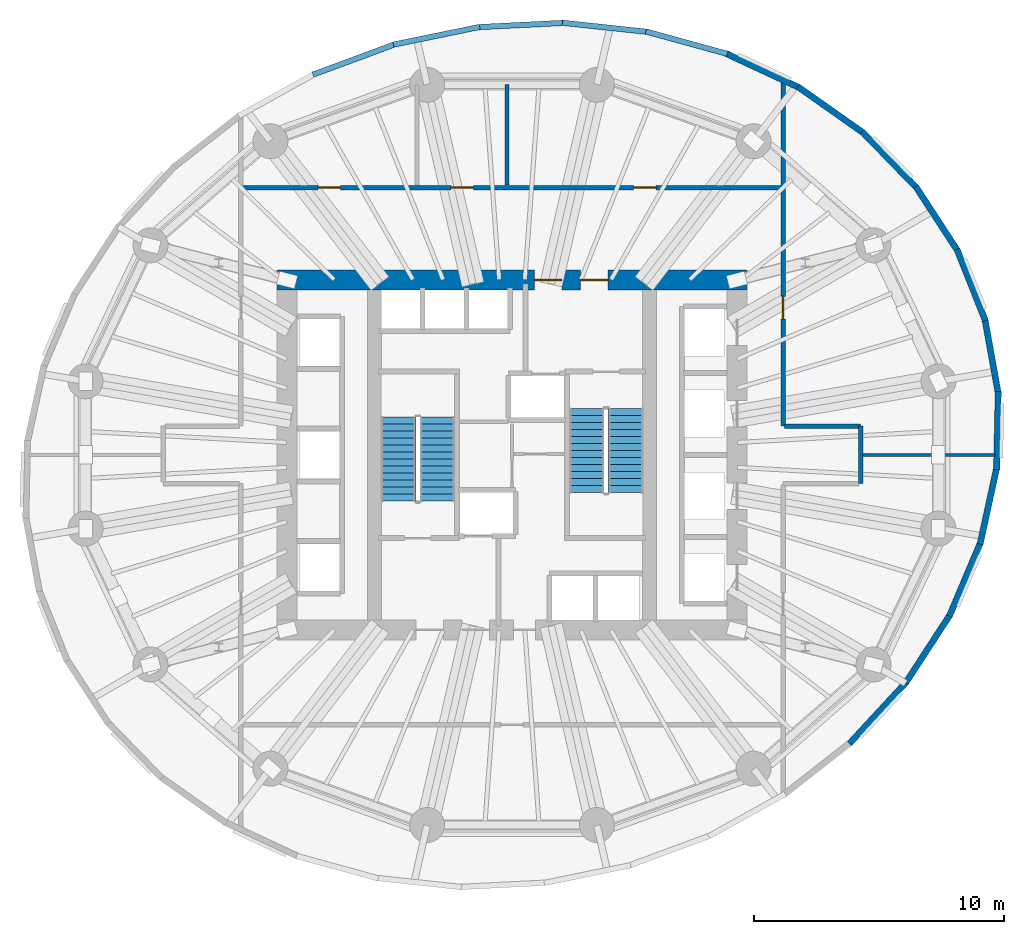
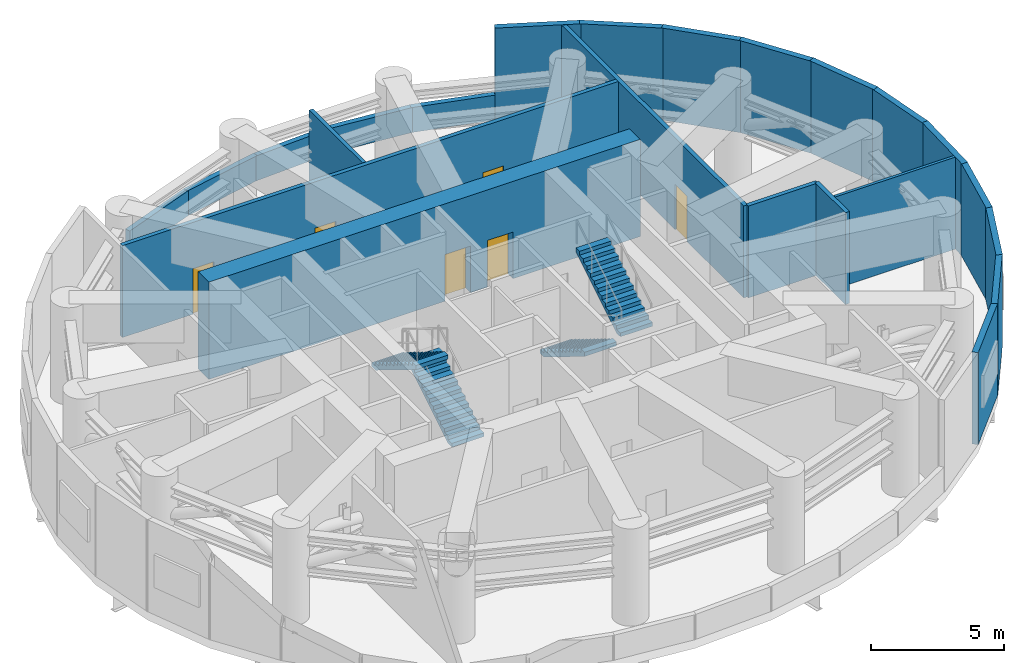
# One storey, part 6 of 8: 23 walls, 6 doors, 4 stair flights, 6 openings, 2 elements without a shape of their own.
"""IFC4 building model written with IfcOpenShell, lengths in metres."""

from ifc_helpers import new_model, si_unit, direction, frame, frame_2d, origin, place, context, subcontext, project, spatial, polyline, rectangle, outline, extrude, material, layer, layer_set, type_object, element, fill, aggregate, save


model = new_model("IFC4")

# Units and contexts
model_context = context("Model", 3, precision=1e-05, world=origin(), true_north=direction((0.0, 1.0)))
body_context = subcontext(model_context, "Body", "Model", "MODEL_VIEW")
ifc_project = project(units=[si_unit("LENGTHUNIT", "METRE"), si_unit("AREAUNIT", "SQUARE_METRE"), si_unit("VOLUMEUNIT", "CUBIC_METRE"), si_unit("PLANEANGLEUNIT", "RADIAN"), si_unit("MASSUNIT", "GRAM", prefix="KILO")], contexts=[model_context])

# Site, building, storey
site_placement = place(None, origin())
site = spatial("IfcSite", under=ifc_project, at=site_placement, CompositionType="ELEMENT")
building_placement = place(site_placement, origin())
building = spatial("IfcBuilding", under=site, at=building_placement, Name="Veldorim Arch Residences", CompositionType="ELEMENT")
storey_placement = place(building_placement, frame((0.0, 0.0, 66.39990234375)))
storey = spatial("IfcBuildingStorey", under=building, at=storey_placement, Name="L19", CompositionType="ELEMENT", Elevation=66.39990234375)

# Wall
ifc_material_1 = material(Name="Acoustic Gypsum Board", Category="gypsum")
ifc_layer_1 = layer(ifc_material_1, 0.125, Name="Acoustic Stud Room Partition Wall 125")
ifc_layer_set_1 = layer_set([ifc_layer_1], Name="Acoustic Gypsum Board")
wall_type_1 = type_object("IfcWallType", Name="Acoustic Stud Room Partition Wall 125", PredefinedType="PARTITIONING", material=ifc_layer_set_1)
wall_1_placement = place(storey_placement, frame((46.050048828125, 24.0, 0.0), z_axis=(0.0, 0.0, 1.0), x_axis=(1.0, 0.0, 0.0)))
element("IfcWall", 1, at=wall_1_placement, inside=storey, type_object=wall_type_1, Name="L19 interior wall WL-PLT-L19-016", PredefinedType="PARTITIONING", context=body_context, shape_type="SweptSolid", body=[
    extrude(rectangle(XDim=5.287353515625, YDim=0.125, at=frame_2d((2.6435546875, 0.0))), origin(), (0.0, 0.0, 1.0), 4.235107421875),
])

# Wall, openings, doors
ifc_material_2 = material(Name="Lightweight Masonry Block & Gypsum", Category="masonry")
ifc_layer_2 = layer(ifc_material_2, 0.179931640625, Name="Compartment & Corridor Fire-Rated Party Wall 180")
ifc_layer_set_2 = layer_set([ifc_layer_2], Name="Lightweight Masonry Block & Gypsum")
wall_type_2 = type_object("IfcWallType", Name="Compartment & Corridor Fire-Rated Party Wall 180", PredefinedType="PARTITIONING", material=ifc_layer_set_2)
wall_2_placement = place(storey_placement, frame((21.14990234375, 34.699951171875, 0.0), z_axis=(0.0, 0.0, 1.0), x_axis=(1.0, 0.0, 0.0)))
wall_2 = element("IfcWall", 2, at=wall_2_placement, inside=storey, type_object=wall_type_2, Name="L19 interior wall WL-PLT-L19-002", PredefinedType="PARTITIONING", context=body_context, shape_type="SweptSolid", body=[
    extrude(rectangle(XDim=21.7001953125, YDim=0.179931640625, at=frame_2d((10.85009765625, 0.0))), origin(), (0.0, 0.0, 1.0), 4.235107421875),
])
opening_1_placement = place(wall_2_placement, frame((15.715087890625, 0.0, 0.0)))
opening_1 = element("IfcOpeningElement", 3, at=opening_1_placement, cuts=wall_2, Name="Opening DR-INT", PredefinedType="OPENING", context=body_context, shape_type="SweptSolid", body=[
    extrude(rectangle(XDim=0.89990234375, YDim=2.10009765625, at=frame_2d((0.449951171875, 1.050048828125))), frame((0.0, 0.099853515625, 0.0), z_axis=(0.0, -1.0, 0.0), x_axis=(1.0, 0.0, 0.0)), (0.0, 0.0, 1.0), 0.199951171875),
])
opening_2_placement = place(wall_2_placement, frame((8.39990234375, 0.0, 0.0)))
opening_2 = element("IfcOpeningElement", 4, at=opening_2_placement, cuts=wall_2, Name="Opening DR-WC", PredefinedType="OPENING", context=body_context, shape_type="SweptSolid", body=[
    extrude(rectangle(XDim=0.89990234375, YDim=2.10009765625, at=frame_2d((0.449951171875, 1.050048828125))), frame((0.0, 0.099853515625, 0.0), z_axis=(0.0, -1.0, 0.0), x_axis=(1.0, 0.0, 0.0)), (0.0, 0.0, 1.0), 0.199951171875),
])
opening_3_placement = place(wall_2_placement, frame((3.0849609375, 0.0, 0.0)))
opening_3 = element("IfcOpeningElement", 5, at=opening_3_placement, cuts=wall_2, Name="Opening DR-SVC", PredefinedType="OPENING", context=body_context, shape_type="SweptSolid", body=[
    extrude(rectangle(XDim=0.89990234375, YDim=2.10009765625, at=frame_2d((0.449951171875, 1.050048828125))), frame((0.0, 0.099853515625, 0.0), z_axis=(0.0, -1.0, 0.0), x_axis=(1.0, 0.0, 0.0)), (0.0, 0.0, 1.0), 0.199951171875),
])
ifc_material_3 = material(Name="Engineered Timber", Category="wood")
door_type_1 = type_object("IfcDoorType", Name="Apartment Internal Room Timber Door 900x2100", OperationType="SINGLE_SWING_LEFT", PredefinedType="DOOR", material=ifc_material_3)
door_1_placement = place(opening_1_placement, origin())
door_1 = element("IfcDoor", 6, at=door_1_placement, inside=storey, type_object=door_type_1, Name="L19 interior door DR-PLT-L19-002", OperationType="SINGLE_SWING_RIGHT", OverallHeight=2.10009765625, OverallWidth=0.89990234375, PredefinedType="DOOR", context=body_context, shape_type="SweptSolid", body=[
    extrude(rectangle(XDim=0.89990234375, YDim=2.10009765625, at=frame_2d((0.449951171875, 1.050048828125))), frame((0.0, 0.02490234375, 0.0), z_axis=(0.0, -1.0, 0.0), x_axis=(1.0, 0.0, 0.0)), (0.0, 0.0, 1.0), 0.050048828125),
])
fill(opening_1, door_1)
ifc_material_4 = material(Name="Laminate Timber", Category="wood")
door_type_2 = type_object("IfcDoorType", Name="Bathroom & Accessible WC Moisture-Sealed Door 900x2100", OperationType="SINGLE_SWING_LEFT", PredefinedType="DOOR", material=ifc_material_4)
door_2_placement = place(opening_2_placement, origin())
door_2 = element("IfcDoor", 7, at=door_2_placement, inside=storey, type_object=door_type_2, Name="L19 interior door DR-PLT-L19-003", OperationType="SINGLE_SWING_LEFT", OverallHeight=2.10009765625, OverallWidth=0.89990234375, PredefinedType="DOOR", context=body_context, shape_type="SweptSolid", body=[
    extrude(rectangle(XDim=0.89990234375, YDim=2.10009765625, at=frame_2d((0.449951171875, 1.050048828125))), frame((0.0, 0.02490234375, 0.0), z_axis=(0.0, -1.0, 0.0), x_axis=(1.0, 0.0, 0.0)), (0.0, 0.0, 1.0), 0.050048828125),
])
fill(opening_2, door_2)
ifc_material_5 = material(Name="Fire-Rated Steel", Category="steel")
door_type_3 = type_object("IfcDoorType", Name="Riser, Shelter & Plant Room Rated Steel Door 900x2100", OperationType="SINGLE_SWING_LEFT", PredefinedType="DOOR", material=ifc_material_5)
door_3_placement = place(opening_3_placement, origin())
door_3 = element("IfcDoor", 8, at=door_3_placement, inside=storey, type_object=door_type_3, Name="L19 interior door DR-PLT-L19-004", OperationType="SINGLE_SWING_RIGHT", OverallHeight=2.10009765625, OverallWidth=0.89990234375, PredefinedType="DOOR", context=body_context, shape_type="SweptSolid", body=[
    extrude(rectangle(XDim=0.89990234375, YDim=2.10009765625, at=frame_2d((0.449951171875, 1.050048828125))), frame((0.0, 0.02490234375, 0.0), z_axis=(0.0, -1.0, 0.0), x_axis=(1.0, 0.0, 0.0)), (0.0, 0.0, 1.0), 0.050048828125),
])
fill(opening_3, door_3)

# Wall
wall_3_placement = place(storey_placement, frame((45.949951171875, 25.14990234375, 0.0), z_axis=(0.0, 0.0, 1.0), x_axis=(0.0, -1.0, 0.0)))
element("IfcWall", 9, at=wall_3_placement, inside=storey, type_object=wall_type_2, Name="L19 interior wall WL-PLT-L19-008", PredefinedType="PARTITIONING", context=body_context, shape_type="SweptSolid", body=[
    extrude(rectangle(XDim=2.2998046875, YDim=0.179931640625, at=frame_2d((1.14990234375, 0.0))), origin(), (0.0, 0.0, 1.0), 4.235107421875),
])

# Wall, opening, door
wall_4_placement = place(storey_placement, frame((42.85009765625, 38.92529296875, 0.0), z_axis=(0.0, 0.0, 1.0), x_axis=(0.0, -1.0, 0.0)))
wall_4 = element("IfcWall", 10, at=wall_4_placement, inside=storey, type_object=wall_type_2, Name="L19 interior wall WL-PLT-L19-011", PredefinedType="PARTITIONING", context=body_context, shape_type="SweptSolid", body=[
    extrude(rectangle(XDim=13.775390625, YDim=0.179931640625, at=frame_2d((6.8876953125, 0.0))), origin(), (0.0, 0.0, 1.0), 4.235107421875),
])
opening_4_placement = place(wall_4_placement, frame((8.580078125, 0.0, 0.0)))
opening_4 = element("IfcOpeningElement", 11, at=opening_4_placement, cuts=wall_4, Name="Opening DR-SVC", PredefinedType="OPENING", context=body_context, shape_type="SweptSolid", body=[
    extrude(rectangle(XDim=0.89990234375, YDim=2.10009765625, at=frame_2d((0.449951171875, 1.050048828125))), frame((0.0, 0.099853515625, 0.0), z_axis=(0.0, -1.0, 0.0), x_axis=(1.0, 0.0, 0.0)), (0.0, 0.0, 1.0), 0.199951171875),
])
door_4_placement = place(opening_4_placement, origin())
door_4 = element("IfcDoor", 12, at=door_4_placement, inside=storey, type_object=door_type_3, Name="L19 interior door DR-PLT-L19-008", OperationType="SINGLE_SWING_RIGHT", OverallHeight=2.10009765625, OverallWidth=0.89990234375, PredefinedType="DOOR", context=body_context, shape_type="SweptSolid", body=[
    extrude(rectangle(XDim=0.89990234375, YDim=2.10009765625, at=frame_2d((0.449951171875, 1.050048828125))), frame((0.0, 0.02490234375, 0.0), z_axis=(0.0, -1.0, 0.0), x_axis=(1.0, 0.0, 0.0)), (0.0, 0.0, 1.0), 0.050048828125),
])
fill(opening_4, door_4)

# Wall
wall_5_placement = place(storey_placement, frame((42.909912109375, 25.14990234375, 0.0), z_axis=(0.0, 0.0, 1.0), x_axis=(1.0, 0.0, 0.0)))
element("IfcWall", 13, at=wall_5_placement, inside=storey, type_object=wall_type_2, Name="L19 interior wall WL-PLT-L19-012", PredefinedType="PARTITIONING", context=body_context, shape_type="SweptSolid", body=[
    extrude(rectangle(XDim=3.0400390625, YDim=0.179931640625, at=frame_2d((1.52001953125, 0.0))), origin(), (0.0, 0.0, 1.0), 4.235107421875),
])

# Wall, openings, doors
ifc_material_6 = material(Name="Concrete C60/75", Category="concrete")
ifc_layer_3 = layer(ifc_material_6, 0.800048828125, Name="Lower Central Core Shear Wall 800")
ifc_layer_set_3 = layer_set([ifc_layer_3], Name="Concrete C60/75")
wall_type_3 = type_object("IfcWallType", Name="Lower Central Core Shear Wall 800", PredefinedType="SHEAR", material=ifc_layer_set_3)
wall_6_placement = place(storey_placement, frame((22.60009765625, 31.0, 0.0), z_axis=(0.0, 0.0, 1.0), x_axis=(1.0, 0.0, 0.0)))
wall_6 = element("IfcWall", 14, at=wall_6_placement, inside=storey, type_object=wall_type_3, Name="L19 central core north shear wall", PredefinedType="SHEAR", context=body_context, shape_type="SweptSolid", body=[
    extrude(rectangle(XDim=18.7998046875, YDim=0.800048828125, at=frame_2d((9.39990234375, 0.0))), origin(), (0.0, 0.0, 1.0), 4.47998046875),
])
opening_5_placement = place(wall_6_placement, frame((10.300048828125, 0.0, 0.0)))
opening_5 = element("IfcOpeningElement", 15, at=opening_5_placement, cuts=wall_6, Name="Opening DR-FFL", PredefinedType="OPENING", context=body_context, shape_type="SweptSolid", body=[
    extrude(rectangle(XDim=1.10009765625, YDim=2.14990234375, at=frame_2d((0.550048828125, 1.074951171875))), frame((0.0, 0.409912109375, 0.0), z_axis=(0.0, -1.0, 0.0), x_axis=(1.0, 0.0, 0.0)), (0.0, 0.0, 1.0), 0.820068359375),
])
opening_6_placement = place(wall_6_placement, frame((12.14990234375, 0.0, 0.0)))
opening_6 = element("IfcOpeningElement", 16, at=opening_6_placement, cuts=wall_6, Name="Opening DR-FFL", PredefinedType="OPENING", context=body_context, shape_type="SweptSolid", body=[
    extrude(rectangle(XDim=1.10009765625, YDim=2.14990234375, at=frame_2d((0.550048828125, 1.074951171875))), frame((0.0, 0.409912109375, 0.0), z_axis=(0.0, -1.0, 0.0), x_axis=(1.0, 0.0, 0.0)), (0.0, 0.0, 1.0), 0.820068359375),
])
ifc_material_7 = material(Name="Fire-Rated Steel & Vision Glass", Category="steel")
door_type_4 = type_object("IfcDoorType", Name="Firefighting Lobby Smoke-Stop Fire Door 1100x2150", OperationType="SINGLE_SWING_LEFT", PredefinedType="DOOR", material=ifc_material_7)
door_5_placement = place(opening_5_placement, origin())
door_5 = element("IfcDoor", 17, at=door_5_placement, inside=storey, type_object=door_type_4, Name="L19 interior door DR-L19-FFL2", OperationType="SINGLE_SWING_RIGHT", OverallHeight=2.14990234375, OverallWidth=1.10009765625, PredefinedType="DOOR", context=body_context, shape_type="SweptSolid", body=[
    extrude(rectangle(XDim=1.10009765625, YDim=2.14990234375, at=frame_2d((0.550048828125, 1.074951171875))), frame((0.0, 0.02490234375, 0.0), z_axis=(0.0, -1.0, 0.0), x_axis=(1.0, 0.0, 0.0)), (0.0, 0.0, 1.0), 0.050048828125),
])
fill(opening_5, door_5)
door_6_placement = place(opening_6_placement, origin())
door_6 = element("IfcDoor", 18, at=door_6_placement, inside=storey, type_object=door_type_4, Name="L19 interior door DR-L19-REF2", OperationType="SINGLE_SWING_LEFT", OverallHeight=2.14990234375, OverallWidth=1.10009765625, PredefinedType="DOOR", context=body_context, shape_type="SweptSolid", body=[
    extrude(rectangle(XDim=1.10009765625, YDim=2.14990234375, at=frame_2d((0.550048828125, 1.074951171875))), frame((0.0, 0.02490234375, 0.0), z_axis=(0.0, -1.0, 0.0), x_axis=(1.0, 0.0, 0.0)), (0.0, 0.0, 1.0), 0.050048828125),
])
fill(opening_6, door_6)

# Walls
ifc_material_8 = material(Name="Precast concrete C40/50", Category="concrete")
ifc_layer_4 = layer(ifc_material_8, 0.219970703125, Name="Terrace & Refuge Perimeter Parapet Wall 220")
ifc_layer_set_4 = layer_set([ifc_layer_4], Name="Precast concrete C40/50")
wall_type_4 = type_object("IfcWallType", Name="Terrace & Refuge Perimeter Parapet Wall 220", PredefinedType="PARAPET", material=ifc_layer_set_4)
wall_7_placement = place(storey_placement, frame((37.35498046875, 40.947998046875, 0.0), z_axis=(0.0, 0.0, 1.0), x_axis=(0.964323623967, -0.264726175998, 0.0)))
element("IfcWall", 19, at=wall_7_placement, inside=storey, type_object=wall_type_4, Name="L19 fire refuge safety parapet 05", PredefinedType="PARAPET", context=body_context, shape_type="SweptSolid", body=[
    extrude(rectangle(XDim=3.38916015625, YDim=0.219970703125, at=frame_2d((1.694580078125, 0.0))), origin(), (0.0, 0.0, 1.0), 1.150146484375),
])
wall_8_placement = place(storey_placement, frame((34.015380859375, 41.296630859375, 0.0), z_axis=(0.0, 0.0, 1.0), x_axis=(0.994351049023, -0.106141374148, 0.0)))
element("IfcWall", 20, at=wall_8_placement, inside=storey, type_object=wall_type_4, Name="L19 fire refuge safety parapet 06", PredefinedType="PARAPET", context=body_context, shape_type="SweptSolid", body=[
    extrude(rectangle(XDim=3.454833984375, YDim=0.219970703125, at=frame_2d((1.7275390625, 0.0))), origin(), (0.0, 0.0, 1.0), 1.150146484375),
])
wall_9_placement = place(storey_placement, frame((30.613525390625, 41.119384765625, 0.0), z_axis=(0.0, 0.0, 1.0), x_axis=(0.998757720735, 0.049829863256, 0.0)))
element("IfcWall", 21, at=wall_9_placement, inside=storey, type_object=wall_type_4, Name="L19 fire refuge safety parapet 07", PredefinedType="PARAPET", context=body_context, shape_type="SweptSolid", body=[
    extrude(rectangle(XDim=3.503173828125, YDim=0.219970703125, at=frame_2d((1.75146484375, 0.0))), origin(), (0.0, 0.0, 1.0), 1.150146484375),
])
for number, where, z_axis, x_axis, name in (
    (22, (27.253662109375, 40.421142578125, 0.0), (0.0, 0.0, 1.0), (0.979515290499, 0.201369798329, 0.0), "L19 fire refuge safety parapet 08"),
    (23, (24.037353515625, 39.223388671875, 0.0), (0.0, 0.0, 1.0), (0.93785305937, 0.347032619548, 0.0), "L19 fire refuge safety parapet 09"),
):
    element("IfcWall", number, at=place(storey_placement, frame(where, z_axis=z_axis, x_axis=x_axis)), inside=storey, type_object=wall_type_4, Name=name, PredefinedType="PARAPET", context=body_context, shape_type="SweptSolid", body=[
        extrude(rectangle(XDim=3.528076171875, YDim=0.219970703125, at=frame_2d((1.76416015625, 0.0))), origin(), (0.0, 0.0, 1.0), 1.150146484375),
    ])
ifc_material_9 = material(Name="Precast concrete C40/50", Category="concrete")
ifc_layer_5 = layer(ifc_material_9, 0.25, Name="Tower Terracotta Spandrel & Pier Wall 250")
ifc_layer_set_5 = layer_set([ifc_layer_5], Name="Precast concrete C40/50")
wall_type_5 = type_object("IfcWallType", Name="Tower Terracotta Spandrel & Pier Wall 250", PredefinedType="SOLIDWALL", material=ifc_layer_set_5)
wall_10_placement = place(storey_placement, frame((49.809326171875, 32.229736328125, 0.0), z_axis=(0.0, 0.0, 1.0), x_axis=(0.369942469499, -0.929054664302, 0.0)))
element("IfcWall", 24, at=wall_10_placement, inside=storey, type_object=wall_type_5, Name="L19 outrigger plant enclosure wall 00", PredefinedType="SOLIDWALL", context=body_context, shape_type="SweptSolid", body=[
    extrude(rectangle(XDim=3.08203125, YDim=0.25, at=frame_2d((1.541015625, 0.0))), origin(), (0.0, 0.0, 1.0), 4.239990234375),
])
wall_11_placement = place(storey_placement, frame((48.1572265625, 34.745361328125, 0.0), z_axis=(0.0, 0.0, 1.0), x_axis=(0.546121725676, -0.837705831868, 0.0)))
element("IfcWall", 25, at=wall_11_placement, inside=storey, type_object=wall_type_5, Name="L19 outrigger plant enclosure wall 01", PredefinedType="SOLIDWALL", context=body_context, shape_type="SweptSolid", body=[
    extrude(rectangle(XDim=3.110595703125, YDim=0.25, at=frame_2d((1.55517578125, 0.0))), origin(), (0.0, 0.0, 1.0), 4.239990234375),
])
wall_12_placement = place(storey_placement, frame((46.014892578125, 36.935302734375, 0.0), z_axis=(0.0, 0.0, 1.0), x_axis=(0.697004563812, -0.717066690082, 0.0)))
element("IfcWall", 26, at=wall_12_placement, inside=storey, type_object=wall_type_5, Name="L19 outrigger plant enclosure wall 02", PredefinedType="SOLIDWALL", context=body_context, shape_type="SweptSolid", body=[
    extrude(rectangle(XDim=3.1640625, YDim=0.25, at=frame_2d((1.58203125, 0.0))), origin(), (0.0, 0.0, 1.0), 4.239990234375),
])
wall_13_placement = place(storey_placement, frame((43.447021484375, 38.7333984375, 0.0), z_axis=(0.0, 0.0, 1.0), x_axis=(0.817429926176, -0.576028051219, 0.0)))
element("IfcWall", 27, at=wall_13_placement, inside=storey, type_object=wall_type_5, Name="L19 outrigger plant enclosure wall 03", PredefinedType="SOLIDWALL", context=body_context, shape_type="SweptSolid", body=[
    extrude(rectangle(XDim=3.234375, YDim=0.25, at=frame_2d((1.6171875, 0.0))), origin(), (0.0, 0.0, 1.0), 4.239990234375),
])
wall_14_placement = place(storey_placement, frame((40.531005859375, 40.084716796875, 0.0), z_axis=(0.0, 0.0, 1.0), x_axis=(0.906173725202, -0.422905639301, 0.0)))
element("IfcWall", 28, at=wall_14_placement, inside=storey, type_object=wall_type_5, Name="L19 outrigger plant enclosure wall 04", PredefinedType="SOLIDWALL", context=body_context, shape_type="SweptSolid", body=[
    extrude(rectangle(XDim=3.3125, YDim=0.25, at=frame_2d((1.65625, 0.0))), origin(), (0.0, 0.0, 1.0), 4.239990234375),
])
wall_15_placement = place(storey_placement, frame((47.805908203125, 14.935546875, 0.0), z_axis=(0.0, 0.0, 1.0), x_axis=(-0.678528400374, -0.734574169085, 0.0)))
element("IfcWall", 29, at=wall_15_placement, inside=storey, type_object=wall_type_5, Name="L19 outrigger plant enclosure wall 30", PredefinedType="SOLIDWALL", context=body_context, shape_type="SweptSolid", body=[
    extrude(rectangle(XDim=3.38916015625, YDim=0.25, at=frame_2d((1.694580078125, 0.0))), origin(), (0.0, 0.0, 1.0), 4.239990234375),
])
wall_16_placement = place(storey_placement, frame((49.552490234375, 17.63427734375, 0.0), z_axis=(0.0, 0.0, 1.0), x_axis=(-0.545464926113, -0.838133649474, 0.0)))
element("IfcWall", 30, at=wall_16_placement, inside=storey, type_object=wall_type_5, Name="L19 outrigger plant enclosure wall 31", PredefinedType="SOLIDWALL", context=body_context, shape_type="SweptSolid", body=[
    extrude(rectangle(XDim=3.3125, YDim=0.25, at=frame_2d((1.65625, 0.0))), origin(), (0.0, 0.0, 1.0), 4.239990234375),
])
wall_17_placement = place(storey_placement, frame((50.765380859375, 20.526123046875, 0.0), z_axis=(0.0, 0.0, 1.0), x_axis=(-0.389332172351, -0.921097421326, 0.0)))
element("IfcWall", 31, at=wall_17_placement, inside=storey, type_object=wall_type_5, Name="L19 outrigger plant enclosure wall 32", PredefinedType="SOLIDWALL", context=body_context, shape_type="SweptSolid", body=[
    extrude(rectangle(XDim=3.234375, YDim=0.25, at=frame_2d((1.6171875, 0.0))), origin(), (0.0, 0.0, 1.0), 4.239990234375),
])
wall_18_placement = place(storey_placement, frame((51.4072265625, 23.5224609375, 0.0), z_axis=(0.0, 0.0, 1.0), x_axis=(-0.212426440862, -0.977177060324, 0.0)))
element("IfcWall", 32, at=wall_18_placement, inside=storey, type_object=wall_type_5, Name="L19 outrigger plant enclosure wall 33", PredefinedType="SOLIDWALL", context=body_context, shape_type="SweptSolid", body=[
    extrude(rectangle(XDim=3.1640625, YDim=0.25, at=frame_2d((1.58203125, 0.0))), origin(), (0.0, 0.0, 1.0), 4.239990234375),
])
wall_19_placement = place(storey_placement, frame((51.459716796875, 26.5322265625, 0.0), z_axis=(0.0, 0.0, 1.0), x_axis=(-0.020642483929, -0.999786921227, 0.0)))
element("IfcWall", 33, at=wall_19_placement, inside=storey, type_object=wall_type_5, Name="L19 outrigger plant enclosure wall 34", PredefinedType="SOLIDWALL", context=body_context, shape_type="SweptSolid", body=[
    extrude(rectangle(XDim=3.110595703125, YDim=0.25, at=frame_2d((1.55517578125, 0.0))), origin(), (0.0, 0.0, 1.0), 4.239990234375),
])
wall_20_placement = place(storey_placement, frame((50.92138671875, 29.464111328125, 0.0), z_axis=(0.0, 0.0, 1.0), x_axis=(0.17721899044, -0.984171443107, 0.0)))
element("IfcWall", 34, at=wall_20_placement, inside=storey, type_object=wall_type_5, Name="L19 outrigger plant enclosure wall 35", PredefinedType="SOLIDWALL", context=body_context, shape_type="SweptSolid", body=[
    extrude(rectangle(XDim=3.081787109375, YDim=0.25, at=frame_2d((1.541015625, 0.0))), origin(), (0.0, 0.0, 1.0), 4.239990234375),
])
ifc_material_10 = material(Name="Moisture-Resistant Gypsum & Stud", Category="gypsum")
ifc_layer_6 = layer(ifc_material_10, 0.159912109375, Name="Wet-Area Moisture-Resistant Plumbing Wall 160")
ifc_layer_set_6 = layer_set([ifc_layer_6], Name="Moisture-Resistant Gypsum & Stud")
wall_type_6 = type_object("IfcWallType", Name="Wet-Area Moisture-Resistant Plumbing Wall 160", PredefinedType="PLUMBINGWALL", material=ifc_layer_set_6)
wall_21_placement = place(storey_placement, frame((31.800048828125, 34.800048828125, 0.0), z_axis=(0.0, 0.0, 1.0), x_axis=(0.0, 1.0, 0.0)))
element("IfcWall", 35, at=wall_21_placement, inside=storey, type_object=wall_type_6, Name="L19 interior wall WL-PLT-L19-013", PredefinedType="PLUMBINGWALL", context=body_context, shape_type="SweptSolid", body=[
    extrude(rectangle(XDim=4.02001953125, YDim=0.159912109375, at=frame_2d((2.010009765625, 0.0))), origin(), (0.0, 0.0, 1.0), 4.235107421875),
])

# Stair, stair flights
ifc_material_11 = material(Name="Concrete C40/50", Category="concrete")
stair_type = type_object("IfcStairType", Name="Reinforced Concrete Dogleg Exit Staircase", PredefinedType="HALF_TURN_STAIR", material=ifc_material_11)
stair_1_placement = place(storey_placement, origin())
stair_1 = element("IfcStair", 36, at=stair_1_placement, inside=storey, type_object=stair_type, Name="L19 Exit Staircase ST-1", PredefinedType="HALF_TURN_STAIR")
ifc_material_12 = material(Name="Concrete C40/50", Category="concrete")
stair_flight_type = type_object("IfcStairFlightType", Name="Reinforced Concrete Stair Flight 1400", PredefinedType="STRAIGHT", material=ifc_material_12)
stair_flight_1_placement = place(storey_placement, frame((29.010009765625, 22.14990234375, 0.0), z_axis=(0.0, 0.0, 1.0), x_axis=(0.0, 1.0, 0.0)))
stair_flight_1 = element("IfcStairFlight", 37, at=stair_flight_1_placement, type_object=stair_flight_type, Name="ST-1 flight 1", NumberOfRisers=13, NumberOfTreads=12, PredefinedType="STRAIGHT", RiserHeight=0.172307692, TreadLength=0.28, context=body_context, shape_type="SweptSolid", body=[
    extrude(outline(polyline([(0.0, 0.0), (0.0, 0.17236328125), (0.280029296875, 0.17236328125), (0.280029296875, 0.3447265625), (0.56005859375, 0.3447265625), (0.56005859375, 0.516845703125), (0.840087890625, 0.516845703125), (0.840087890625, 0.689208984375), (1.1201171875, 0.689208984375), (1.1201171875, 0.861572265625), (1.39990234375, 0.861572265625), (1.39990234375, 1.033935546875), (1.679931640625, 1.033935546875), (1.679931640625, 1.2060546875), (1.9599609375, 1.2060546875), (1.9599609375, 1.37841796875), (2.239990234375, 1.37841796875), (2.239990234375, 1.55078125), (2.52001953125, 1.55078125), (2.52001953125, 1.72314453125), (2.800048828125, 1.72314453125), (2.800048828125, 1.895263671875), (3.080078125, 1.895263671875), (3.080078125, 2.067626953125), (3.360107421875, 2.067626953125), (3.360107421875, 2.239990234375), (3.360107421875, 1.8798828125), (0.30517578125, 0.0), (0.0, 0.0)])), frame((0.0, 0.699951171875, 0.0), z_axis=(0.0, -1.0, 0.0), x_axis=(1.0, 0.0, 0.0)), (0.0, 0.0, 1.0), 1.39990234375),
])
stair_flight_2_placement = place(storey_placement, frame((27.449951171875, 25.510009765625, 2.239990234375), z_axis=(0.0, 0.0, 1.0), x_axis=(0.0, -1.0, 0.0)))
stair_flight_2 = element("IfcStairFlight", 38, at=stair_flight_2_placement, type_object=stair_flight_type, Name="ST-1 flight 2", NumberOfRisers=13, NumberOfTreads=12, PredefinedType="STRAIGHT", RiserHeight=0.172307692, TreadLength=0.28, context=body_context, shape_type="SweptSolid", body=[
    extrude(outline(polyline([(0.0, 0.0), (0.0, 0.17236328125), (0.280029296875, 0.17236328125), (0.280029296875, 0.3447265625), (0.56005859375, 0.3447265625), (0.56005859375, 0.516845703125), (0.840087890625, 0.516845703125), (0.840087890625, 0.689208984375), (1.1201171875, 0.689208984375), (1.1201171875, 0.861572265625), (1.39990234375, 0.861572265625), (1.39990234375, 1.033935546875), (1.679931640625, 1.033935546875), (1.679931640625, 1.2060546875), (1.9599609375, 1.2060546875), (1.9599609375, 1.37841796875), (2.239990234375, 1.37841796875), (2.239990234375, 1.55078125), (2.52001953125, 1.55078125), (2.52001953125, 1.72314453125), (2.800048828125, 1.72314453125), (2.800048828125, 1.895263671875), (3.080078125, 1.895263671875), (3.080078125, 2.067626953125), (3.360107421875, 2.067626953125), (3.360107421875, 2.239990234375), (3.360107421875, 1.8798828125), (0.30517578125, 0.0), (0.0, 0.0)])), frame((0.0, 0.699951171875, 0.0), z_axis=(0.0, -1.0, 0.0), x_axis=(1.0, 0.0, 0.0)), (0.0, 0.0, 1.0), 1.39990234375),
])
aggregate(stair_1, [stair_flight_1, stair_flight_2])

stair_2_placement = place(storey_placement, origin())
stair_2 = element("IfcStair", 39, at=stair_2_placement, inside=storey, type_object=stair_type, Name="L19 Exit Staircase ST-2", PredefinedType="HALF_TURN_STAIR")
stair_flight_3_placement = place(storey_placement, frame((34.989990234375, 25.85009765625, 0.0), z_axis=(0.0, 0.0, 1.0), x_axis=(0.0, -1.0, 0.0)))
stair_flight_3 = element("IfcStairFlight", 40, at=stair_flight_3_placement, type_object=stair_flight_type, Name="ST-2 flight 1", NumberOfRisers=13, NumberOfTreads=12, PredefinedType="STRAIGHT", RiserHeight=0.172307692, TreadLength=0.28, context=body_context, shape_type="SweptSolid", body=[
    extrude(outline(polyline([(0.0, 0.0), (0.0, 0.17236328125), (0.280029296875, 0.17236328125), (0.280029296875, 0.3447265625), (0.56005859375, 0.3447265625), (0.56005859375, 0.516845703125), (0.840087890625, 0.516845703125), (0.840087890625, 0.689208984375), (1.1201171875, 0.689208984375), (1.1201171875, 0.861572265625), (1.39990234375, 0.861572265625), (1.39990234375, 1.033935546875), (1.679931640625, 1.033935546875), (1.679931640625, 1.2060546875), (1.9599609375, 1.2060546875), (1.9599609375, 1.37841796875), (2.239990234375, 1.37841796875), (2.239990234375, 1.55078125), (2.52001953125, 1.55078125), (2.52001953125, 1.72314453125), (2.800048828125, 1.72314453125), (2.800048828125, 1.895263671875), (3.080078125, 1.895263671875), (3.080078125, 2.067626953125), (3.360107421875, 2.067626953125), (3.360107421875, 2.239990234375), (3.360107421875, 1.8798828125), (0.30517578125, 0.0), (0.0, 0.0)])), frame((0.0, 0.699951171875, 0.0), z_axis=(0.0, -1.0, 0.0), x_axis=(1.0, 0.0, 0.0)), (0.0, 0.0, 1.0), 1.39990234375),
])
stair_flight_4_placement = place(storey_placement, frame((36.550048828125, 22.489990234375, 2.239990234375), z_axis=(0.0, 0.0, 1.0), x_axis=(0.0, 1.0, 0.0)))
stair_flight_4 = element("IfcStairFlight", 41, at=stair_flight_4_placement, type_object=stair_flight_type, Name="ST-2 flight 2", NumberOfRisers=13, NumberOfTreads=12, PredefinedType="STRAIGHT", RiserHeight=0.172307692, TreadLength=0.28, context=body_context, shape_type="SweptSolid", body=[
    extrude(outline(polyline([(0.0, 0.0), (0.0, 0.17236328125), (0.280029296875, 0.17236328125), (0.280029296875, 0.3447265625), (0.56005859375, 0.3447265625), (0.56005859375, 0.516845703125), (0.840087890625, 0.516845703125), (0.840087890625, 0.689208984375), (1.1201171875, 0.689208984375), (1.1201171875, 0.861572265625), (1.39990234375, 0.861572265625), (1.39990234375, 1.033935546875), (1.679931640625, 1.033935546875), (1.679931640625, 1.2060546875), (1.9599609375, 1.2060546875), (1.9599609375, 1.37841796875), (2.239990234375, 1.37841796875), (2.239990234375, 1.55078125), (2.52001953125, 1.55078125), (2.52001953125, 1.72314453125), (2.800048828125, 1.72314453125), (2.800048828125, 1.895263671875), (3.080078125, 1.895263671875), (3.080078125, 2.067626953125), (3.360107421875, 2.067626953125), (3.360107421875, 2.239990234375), (3.360107421875, 1.8798828125), (0.30517578125, 0.0), (0.0, 0.0)])), frame((0.0, 0.699951171875, 0.0), z_axis=(0.0, -1.0, 0.0), x_axis=(1.0, 0.0, 0.0)), (0.0, 0.0, 1.0), 1.39990234375),
])
aggregate(stair_2, [stair_flight_3, stair_flight_4])

save(model, "model.ifc")
